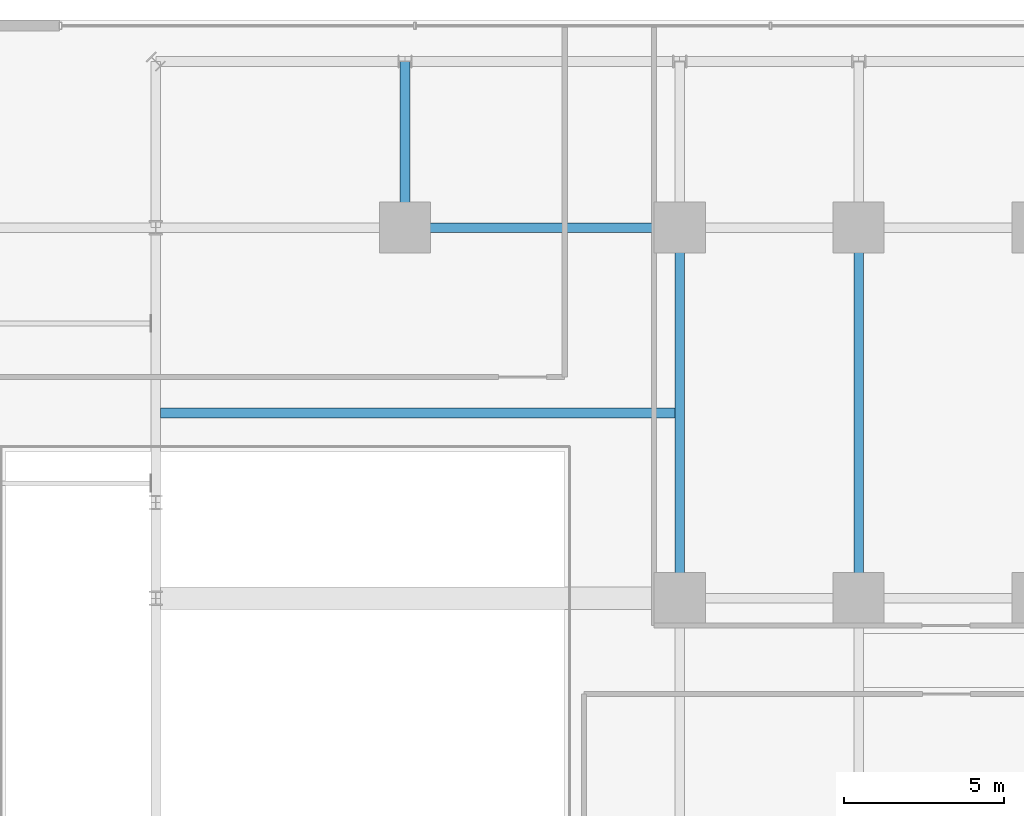
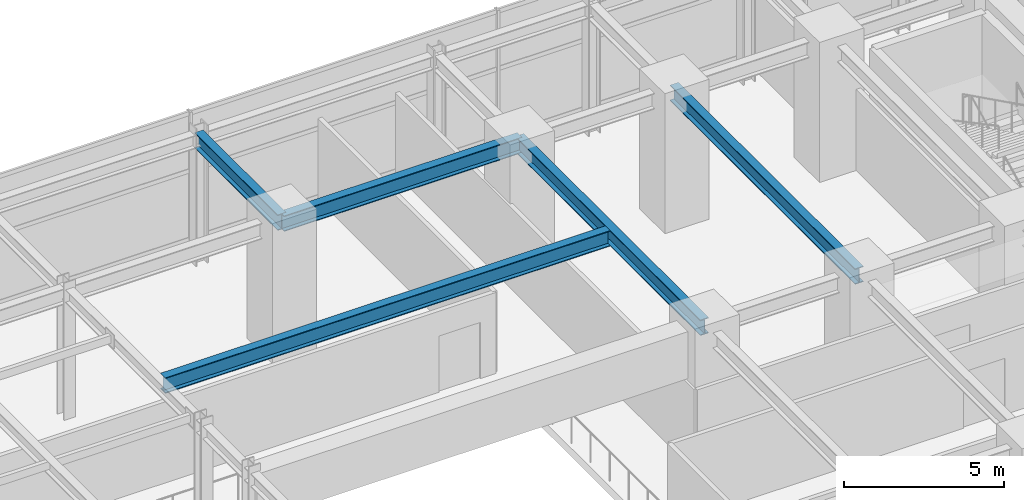
# One storey, part 17 of 35: 5 beams.
"""IFC4 building model written with IfcOpenShell, lengths in metres."""

from ifc_helpers import new_model, si_unit, direction, frame, origin, origin_2d, place, context, subcontext, project, spatial, i_section, extrude, source, transform, mapped, material, material_profile, profile_set, type_object, element, save


model = new_model("IFC4")

# Units and contexts
model_context = context("Model", 3, precision=1e-05, world=origin(), true_north=direction((0.0, 1.0)))
body_context = subcontext(model_context, "Body", "Model", "MODEL_VIEW")
ifc_project = project(units=[si_unit("LENGTHUNIT", "METRE"), si_unit("AREAUNIT", "SQUARE_METRE"), si_unit("VOLUMEUNIT", "CUBIC_METRE"), si_unit("PLANEANGLEUNIT", "RADIAN"), si_unit("MASSUNIT", "GRAM", prefix="KILO")], contexts=[model_context])

# Site, building, storey
site_placement = place(None, origin())
site = spatial("IfcSite", under=ifc_project, at=site_placement, CompositionType="ELEMENT")
building_placement = place(site_placement, origin())
building = spatial("IfcBuilding", under=site, at=building_placement, Name="Nahalor Promenade Grand Hotel", CompositionType="ELEMENT")
storey_placement = place(building_placement, frame((0.0, 0.0, 21.60009765625)))
storey = spatial("IfcBuildingStorey", under=building, at=storey_placement, Name="L04", CompositionType="ELEMENT", Elevation=21.60009765625)

# Beams
ifc_material = material(Name="Steel S355JR", Category="steel")
ifc_material_profile = material_profile(ifc_material, i_section(OverallWidth=0.3, OverallDepth=0.6, WebThickness=0.0155, FlangeThickness=0.03, at=origin_2d()), Name="HEB 600")
ifc_profile_set = profile_set([ifc_material_profile], Name="Steel S355JR")
beam_type = type_object("IfcBeamType", Name="Beam-Girder-HEB600", PredefinedType="BEAM", material=ifc_profile_set)
shared_shape_1 = source(origin(), body_context, "Body", "SweptSolid", [
    extrude(i_section(OverallWidth=0.3, OverallDepth=0.6, WebThickness=0.0155, FlangeThickness=0.03, at=origin_2d()), origin(), (0.0, 0.0, 1.0), 8.60009765625),
])
beam_1_placement = place(storey_placement, frame((-17.0, 17.0, 4.679931640625), z_axis=(1.0, 0.0, 0.0), x_axis=(0.0, 1.0, 0.0)))
element("IfcBeam", 1, at=beam_1_placement, inside=storey, type_object=beam_type, Name="BM-L04-GX-3-2", PredefinedType="BEAM", context=body_context, shape_type="MappedRepresentation", body=[
    mapped(shared_shape_1, transform((0.0, 0.0, 0.0), scale=1.0)),
])
shared_shape_2 = source(origin(), body_context, "Body", "SweptSolid", [
    extrude(i_section(OverallWidth=0.3, OverallDepth=0.6, WebThickness=0.0155, FlangeThickness=0.03, at=origin_2d()), origin(), (0.0, 0.0, 1.0), 5.199951171875),
])
beam_2_placement = place(storey_placement, frame((-17.0, 17.0, 4.679931640625), z_axis=(0.0, 1.0, 0.0), x_axis=(-1.0, 0.0, 0.0)))
element("IfcBeam", 2, at=beam_2_placement, inside=storey, type_object=beam_type, Name="BM-L04-GY-0-4", PredefinedType="BEAM", context=body_context, shape_type="MappedRepresentation", body=[
    mapped(shared_shape_2, transform((0.0, 0.0, 0.0), scale=1.0)),
])
shared_shape_3 = source(origin(), body_context, "Body", "SweptSolid", [
    extrude(i_section(OverallWidth=0.3, OverallDepth=0.6, WebThickness=0.0155, FlangeThickness=0.03, at=origin_2d()), origin(), (0.0, 0.0, 1.0), 11.60009765625),
])
for number, where, z_axis, x_axis, name in (
    (3, (-8.39990234375, 5.39990234375, 4.679931640625), (0.0, 1.0, 0.0), (-1.0, 0.0, 0.0), "BM-L04-GY-1-3"),
    (4, (-2.800048828125, 5.39990234375, 4.679931640625), (0.0, 1.0, 0.0), (-1.0, 0.0, 0.0), "BM-L04-GY-2-3"),
):
    element("IfcBeam", number, at=place(storey_placement, frame(where, z_axis=z_axis, x_axis=x_axis)), inside=storey, type_object=beam_type, Name=name, PredefinedType="BEAM", context=body_context, shape_type="MappedRepresentation", body=[
        mapped(shared_shape_3, transform((0.0, 0.0, 0.0), scale=1.0)),
    ])
shared_shape_4 = source(origin(), body_context, "Body", "SweptSolid", [
    extrude(i_section(OverallWidth=0.3, OverallDepth=0.6, WebThickness=0.0155, FlangeThickness=0.03, at=origin_2d()), origin(), (0.0, 0.0, 1.0), 16.099853515625),
])
beam_3_placement = place(storey_placement, frame((-24.64990234375, 11.199951171875, 4.679931640625), z_axis=(1.0, 0.0, 0.0), x_axis=(0.0, 1.0, 0.0)))
element("IfcBeam", 5, at=beam_3_placement, inside=storey, type_object=beam_type, Name="BM-L04-JSW-1-SPAN", PredefinedType="BEAM", context=body_context, shape_type="MappedRepresentation", body=[
    mapped(shared_shape_4, transform((0.0, 0.0, 0.0), scale=1.0)),
])

save(model, "model.ifc")
